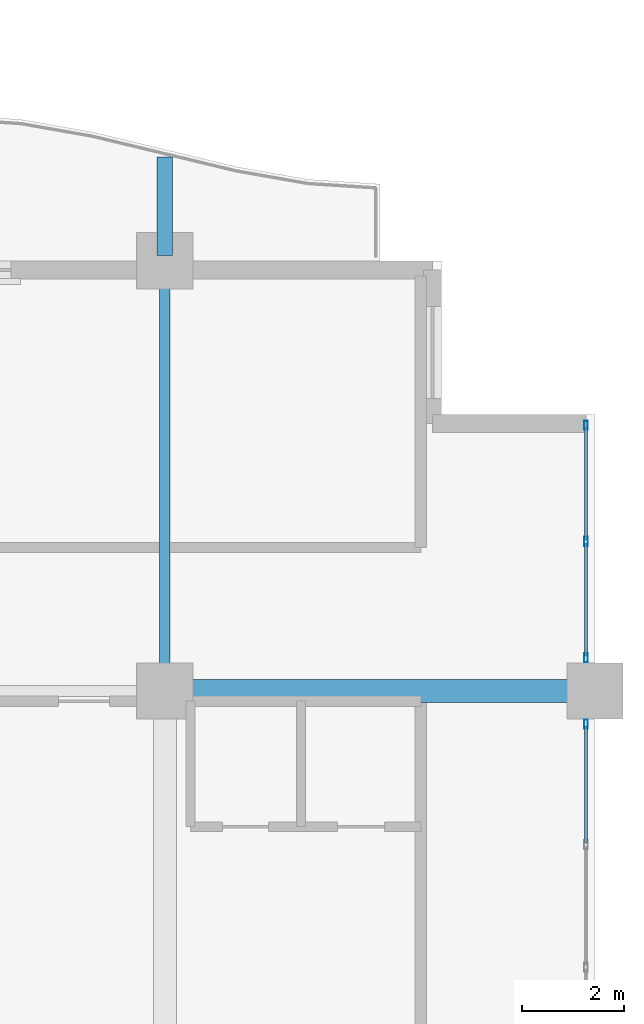
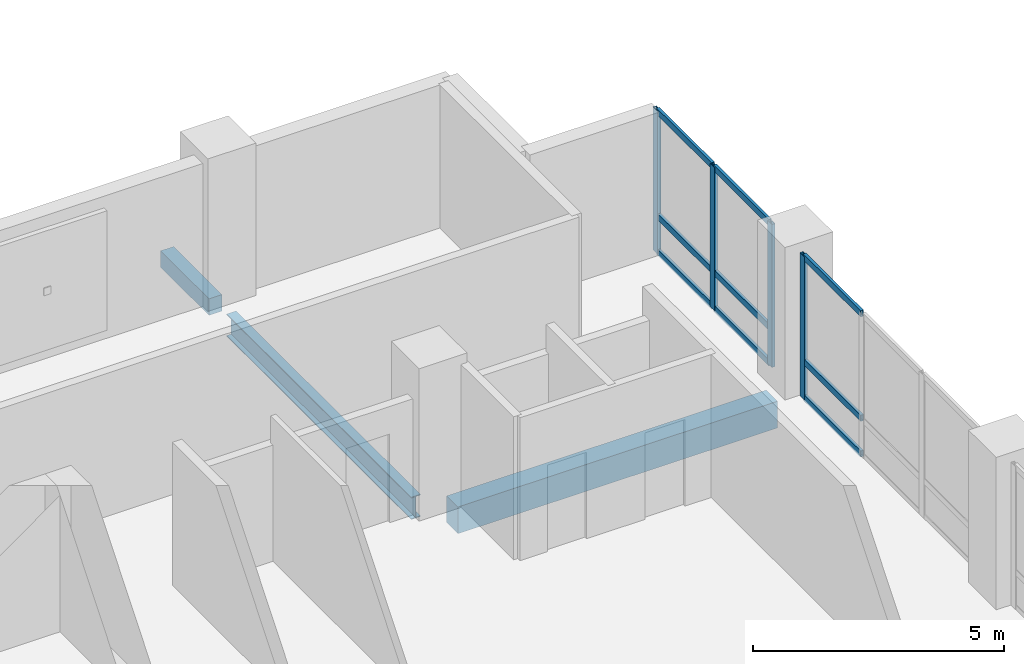
# One storey, part 7 of 20: 13 members, 3 beams, 2 elements without a shape of their own.
"""IFC4 building model written with IfcOpenShell, lengths in metres."""

from ifc_helpers import new_model, si_unit, direction, frame, origin, origin_2d, place, context, subcontext, project, spatial, rectangle, hollow_rectangle, i_section, extrude, material, layer, layer_set, material_profile, profile_set, type_object, element, aggregate, save


model = new_model("IFC4")

# Units and contexts
model_context = context("Model", 3, precision=1e-05, world=origin(), true_north=direction((0.0, 1.0)))
body_context = subcontext(model_context, "Body", "Model", "MODEL_VIEW")
ifc_project = project(units=[si_unit("LENGTHUNIT", "METRE"), si_unit("AREAUNIT", "SQUARE_METRE"), si_unit("VOLUMEUNIT", "CUBIC_METRE"), si_unit("PLANEANGLEUNIT", "RADIAN"), si_unit("MASSUNIT", "GRAM", prefix="KILO")], contexts=[model_context])

# Site, building, storey
site_placement = place(None, origin())
site = spatial("IfcSite", under=ifc_project, at=site_placement, CompositionType="ELEMENT")
building_placement = place(site_placement, origin())
building = spatial("IfcBuilding", under=site, at=building_placement, Name="Koriwani Terraces Tower", CompositionType="ELEMENT")
storey_placement = place(building_placement, frame((0.0, 0.0, 212.39990234375)))
storey = spatial("IfcBuildingStorey", under=building, at=storey_placement, Name="L52", CompositionType="ELEMENT", Elevation=212.39990234375)

# Beams
ifc_material_1 = material(Name="Concrete C40/50", Category="concrete")
ifc_material_profile_1 = material_profile(ifc_material_1, rectangle(XDim=0.300048828125, YDim=0.39990234375, at=origin_2d()), Name="Concrete C40/50", Category="LoadBearing")
ifc_profile_set_1 = profile_set([ifc_material_profile_1], Name="Concrete C40/50")
beam_type_1 = type_object("IfcBeamType", Name="BEAM_RC_BALCONY_RIB_300X400", PredefinedType="JOIST", material=ifc_profile_set_1)
beam_1_placement = place(storey_placement, frame((67.199951171875, 33.699951171875, -0.429931640625), z_axis=(0.0, 1.0, 0.0), x_axis=(-1.0, 0.0, 0.0)))
element("IfcBeam", 1, at=beam_1_placement, inside=storey, type_object=beam_type_1, Name="L52 Balcony Bracket Rib NE-4", PredefinedType="JOIST", context=body_context, shape_type="SweptSolid", body=[
    extrude(rectangle(XDim=0.300048828125, YDim=0.39990234375, at=origin_2d()), origin(), (0.0, 0.0, 1.0), 1.925048828125),
])
ifc_material_2 = material(Name="Concrete C50/60", Category="concrete")
ifc_material_profile_2 = material_profile(ifc_material_2, rectangle(XDim=0.449951171875, YDim=0.64990234375, at=origin_2d()), Name="Concrete C50/60", Category="LoadBearing")
ifc_profile_set_2 = profile_set([ifc_material_profile_2], Name="Concrete C50/60")
beam_type_2 = type_object("IfcBeamType", Name="BEAM_RC_GRID_450X650", PredefinedType="BEAM", material=ifc_profile_set_2)
beam_2_placement = place(storey_placement, frame((67.72998046875, 25.199951171875, -0.554931640625), z_axis=(1.0, 0.0, 0.0), x_axis=(0.0, 1.0, 0.0)))
element("IfcBeam", 2, at=beam_2_placement, inside=storey, type_object=beam_type_2, Name="L52 Grid Beam D (67.2-75.6m)", PredefinedType="BEAM", context=body_context, shape_type="SweptSolid", body=[
    extrude(rectangle(XDim=0.449951171875, YDim=0.64990234375, at=origin_2d()), origin(), (0.0, 0.0, 1.0), 7.340087890625),
])

# Curtain wall, members
ifc_material_3 = material(Name="Anodised Bronze Aluminium", Category="aluminium")
ifc_layer = layer(ifc_material_3, 0.169921875, Name="Anodised Bronze Aluminium")
ifc_layer_set = layer_set([ifc_layer], Name="Anodised Bronze Aluminium")
curtain_wall_type = type_object("IfcCurtainWallType", Name="CW_RES_ZONE3", PredefinedType="NOTDEFINED", material=ifc_layer_set)
curtain_wall_1_placement = place(storey_placement, origin())
curtain_wall_1 = element("IfcCurtainWall", 3, at=curtain_wall_1_placement, inside=storey, type_object=curtain_wall_type, Name="L52 Unitised Curtain Wall (E_TIP) Bay 1", PredefinedType="NOTDEFINED")
ifc_material_profile_3 = material_profile(ifc_material_3, hollow_rectangle(XDim=0.074951171875, YDim=0.179931640625, WallThickness=0.006103515625, at=origin_2d()), Name="Anodised Bronze Aluminium", Category="LoadBearing")
ifc_profile_set_3 = profile_set([ifc_material_profile_3], Name="Anodised Bronze Aluminium")
member_type_1 = type_object("IfcMemberType", Name="CW_MULLION_180X75", PredefinedType="MULLION", material=ifc_profile_set_3)
member_1_placement = place(storey_placement, frame((75.425048828125, 30.387451171875, 0.0), z_axis=(0.0, 0.0, 1.0), x_axis=(1.0, 0.0, 0.0)))
member_1 = element("IfcMember", 4, at=member_1_placement, type_object=member_type_1, Name="CW-Z3 mullion 1", PredefinedType="MULLION", context=body_context, shape_type="SweptSolid", body=[
    extrude(hollow_rectangle(XDim=0.074951171875, YDim=0.179931640625, WallThickness=0.006103515625, at=origin_2d()), origin(), (0.0, 0.0, 1.0), 3.47021484375),
])
member_2_placement = place(storey_placement, frame((75.425048828125, 28.117431640625, 0.0), z_axis=(0.0, 0.0, 1.0), x_axis=(1.0, 0.0, 0.0)))
member_2 = element("IfcMember", 5, at=member_2_placement, type_object=member_type_1, Name="CW-Z3 mullion 2", PredefinedType="MULLION", context=body_context, shape_type="SweptSolid", body=[
    extrude(hollow_rectangle(XDim=0.074951171875, YDim=0.179931640625, WallThickness=0.006103515625, at=origin_2d()), origin(), (0.0, 0.0, 1.0), 3.47021484375),
])
member_3_placement = place(storey_placement, frame((75.425048828125, 25.847412109375, 0.0), z_axis=(0.0, 0.0, 1.0), x_axis=(1.0, 0.0, 0.0)))
member_3 = element("IfcMember", 6, at=member_3_placement, type_object=member_type_1, Name="CW-Z3 mullion 3", PredefinedType="MULLION", context=body_context, shape_type="SweptSolid", body=[
    extrude(hollow_rectangle(XDim=0.074951171875, YDim=0.179931640625, WallThickness=0.006103515625, at=origin_2d()), origin(), (0.0, 0.0, 1.0), 3.47021484375),
])

# Curtain wall, member
curtain_wall_2_placement = place(storey_placement, origin())
curtain_wall_2 = element("IfcCurtainWall", 7, at=curtain_wall_2_placement, inside=storey, type_object=curtain_wall_type, Name="L52 Unitised Curtain Wall (E_TIP) Bay 2", PredefinedType="NOTDEFINED")
member_4_placement = place(storey_placement, frame((75.425048828125, 24.552490234375, 0.0), z_axis=(0.0, 0.0, 1.0), x_axis=(1.0, 0.0, 0.0)))
member_4 = element("IfcMember", 8, at=member_4_placement, type_object=member_type_1, Name="CW-Z3 mullion 1", PredefinedType="MULLION", context=body_context, shape_type="SweptSolid", body=[
    extrude(hollow_rectangle(XDim=0.074951171875, YDim=0.179931640625, WallThickness=0.006103515625, at=origin_2d()), origin(), (0.0, 0.0, 1.0), 3.47021484375),
])

# Member
ifc_material_profile_4 = material_profile(ifc_material_3, hollow_rectangle(XDim=0.06494140625, YDim=0.14990234375, WallThickness=0.0048828125, at=origin_2d()), Name="Anodised Bronze Aluminium", Category="LoadBearing")
ifc_profile_set_4 = profile_set([ifc_material_profile_4], Name="Anodised Bronze Aluminium")
member_type_2 = type_object("IfcMemberType", Name="CW_TRANSOM_150X65", PredefinedType="USERDEFINED", material=ifc_profile_set_4)
member_5_placement = place(storey_placement, frame((75.425048828125, 30.35009765625, 0.03271484375), z_axis=(0.0, -1.0, 0.0), x_axis=(1.0, 0.0, 0.0)))
member_5 = element("IfcMember", 9, at=member_5_placement, type_object=member_type_2, Name="CW-Z3 transom 1.1", ObjectType="TRANSOM", PredefinedType="USERDEFINED", context=body_context, shape_type="SweptSolid", body=[
    extrude(hollow_rectangle(XDim=0.06494140625, YDim=0.14990234375, WallThickness=0.0048828125, at=origin_2d()), origin(), (0.0, 0.0, 1.0), 2.195068359375),
])

member_6_placement = place(storey_placement, frame((75.425048828125, 30.35009765625, 0.900146484375), z_axis=(0.0, -1.0, 0.0), x_axis=(1.0, 0.0, 0.0)))
member_6 = element("IfcMember", 10, at=member_6_placement, type_object=member_type_2, Name="CW-Z3 transom 1.2", ObjectType="TRANSOM", PredefinedType="USERDEFINED", context=body_context, shape_type="SweptSolid", body=[
    extrude(hollow_rectangle(XDim=0.06494140625, YDim=0.14990234375, WallThickness=0.0048828125, at=origin_2d()), origin(), (0.0, 0.0, 1.0), 2.195068359375),
])

member_7_placement = place(storey_placement, frame((75.425048828125, 30.35009765625, 3.4375), z_axis=(0.0, -1.0, 0.0), x_axis=(1.0, 0.0, 0.0)))
member_7 = element("IfcMember", 11, at=member_7_placement, type_object=member_type_2, Name="CW-Z3 transom 1.3", ObjectType="TRANSOM", PredefinedType="USERDEFINED", context=body_context, shape_type="SweptSolid", body=[
    extrude(hollow_rectangle(XDim=0.06494140625, YDim=0.14990234375, WallThickness=0.0048828125, at=origin_2d()), origin(), (0.0, 0.0, 1.0), 2.195068359375),
])

member_8_placement = place(storey_placement, frame((75.425048828125, 28.080078125, 0.03271484375), z_axis=(0.0, -1.0, 0.0), x_axis=(1.0, 0.0, 0.0)))
member_8 = element("IfcMember", 12, at=member_8_placement, type_object=member_type_2, Name="CW-Z3 transom 2.1", ObjectType="TRANSOM", PredefinedType="USERDEFINED", context=body_context, shape_type="SweptSolid", body=[
    extrude(hollow_rectangle(XDim=0.06494140625, YDim=0.14990234375, WallThickness=0.0048828125, at=origin_2d()), origin(), (0.0, 0.0, 1.0), 2.195068359375),
])

member_9_placement = place(storey_placement, frame((75.425048828125, 28.080078125, 0.900146484375), z_axis=(0.0, -1.0, 0.0), x_axis=(1.0, 0.0, 0.0)))
member_9 = element("IfcMember", 13, at=member_9_placement, type_object=member_type_2, Name="CW-Z3 transom 2.2", ObjectType="TRANSOM", PredefinedType="USERDEFINED", context=body_context, shape_type="SweptSolid", body=[
    extrude(hollow_rectangle(XDim=0.06494140625, YDim=0.14990234375, WallThickness=0.0048828125, at=origin_2d()), origin(), (0.0, 0.0, 1.0), 2.195068359375),
])

member_10_placement = place(storey_placement, frame((75.425048828125, 28.080078125, 3.4375), z_axis=(0.0, -1.0, 0.0), x_axis=(1.0, 0.0, 0.0)))
member_10 = element("IfcMember", 14, at=member_10_placement, type_object=member_type_2, Name="CW-Z3 transom 2.3", ObjectType="TRANSOM", PredefinedType="USERDEFINED", context=body_context, shape_type="SweptSolid", body=[
    extrude(hollow_rectangle(XDim=0.06494140625, YDim=0.14990234375, WallThickness=0.0048828125, at=origin_2d()), origin(), (0.0, 0.0, 1.0), 2.195068359375),
])

aggregate(curtain_wall_1, [member_1, member_2, member_3, member_5, member_6, member_7, member_8, member_9, member_10])

member_11_placement = place(storey_placement, frame((75.425048828125, 24.514892578125, 0.03271484375), z_axis=(0.0, -1.0, 0.0), x_axis=(1.0, 0.0, 0.0)))
member_11 = element("IfcMember", 15, at=member_11_placement, type_object=member_type_2, Name="CW-Z3 transom 1.1", ObjectType="TRANSOM", PredefinedType="USERDEFINED", context=body_context, shape_type="SweptSolid", body=[
    extrude(hollow_rectangle(XDim=0.06494140625, YDim=0.14990234375, WallThickness=0.0048828125, at=origin_2d()), origin(), (0.0, 0.0, 1.0), 2.28076171875),
])

member_12_placement = place(storey_placement, frame((75.425048828125, 24.514892578125, 0.900146484375), z_axis=(0.0, -1.0, 0.0), x_axis=(1.0, 0.0, 0.0)))
member_12 = element("IfcMember", 16, at=member_12_placement, type_object=member_type_2, Name="CW-Z3 transom 1.2", ObjectType="TRANSOM", PredefinedType="USERDEFINED", context=body_context, shape_type="SweptSolid", body=[
    extrude(hollow_rectangle(XDim=0.06494140625, YDim=0.14990234375, WallThickness=0.0048828125, at=origin_2d()), origin(), (0.0, 0.0, 1.0), 2.28076171875),
])

member_13_placement = place(storey_placement, frame((75.425048828125, 24.514892578125, 3.4375), z_axis=(0.0, -1.0, 0.0), x_axis=(1.0, 0.0, 0.0)))
member_13 = element("IfcMember", 17, at=member_13_placement, type_object=member_type_2, Name="CW-Z3 transom 1.3", ObjectType="TRANSOM", PredefinedType="USERDEFINED", context=body_context, shape_type="SweptSolid", body=[
    extrude(hollow_rectangle(XDim=0.06494140625, YDim=0.14990234375, WallThickness=0.0048828125, at=origin_2d()), origin(), (0.0, 0.0, 1.0), 2.28076171875),
])

aggregate(curtain_wall_2, [member_4, member_11, member_12, member_13])

# Beam
ifc_material_4 = material(Name="Steel ASTM A572 Grade 50", Category="steel")
ifc_material_profile_5 = material_profile(ifc_material_4, i_section(OverallWidth=0.2119140625, OverallDepth=0.54296875, WebThickness=0.0126953125, FlangeThickness=0.021240234375, at=origin_2d()), Name="Steel ASTM A572 Grade 50", Category="LoadBearing")
ifc_profile_set_5 = profile_set([ifc_material_profile_5], Name="Steel ASTM A572 Grade 50")
beam_type_3 = type_object("IfcBeamType", Name="STEEL_BEAM_W530X150", PredefinedType="BEAM", material=ifc_profile_set_5)
beam_3_placement = place(storey_placement, frame((67.199951171875, 25.72998046875, -0.50146484375), z_axis=(0.0, 1.0, 0.0), x_axis=(-1.0, 0.0, 0.0)))
element("IfcBeam", 18, at=beam_3_placement, inside=storey, type_object=beam_type_3, Name="L52 Grid Beam 9 (25.2-33.6m)", PredefinedType="BEAM", context=body_context, shape_type="SweptSolid", body=[
    extrude(i_section(OverallWidth=0.2119140625, OverallDepth=0.54296875, WebThickness=0.0126953125, FlangeThickness=0.021240234375, at=origin_2d()), origin(), (0.0, 0.0, 1.0), 7.340087890625),
])

save(model, "model.ifc")
